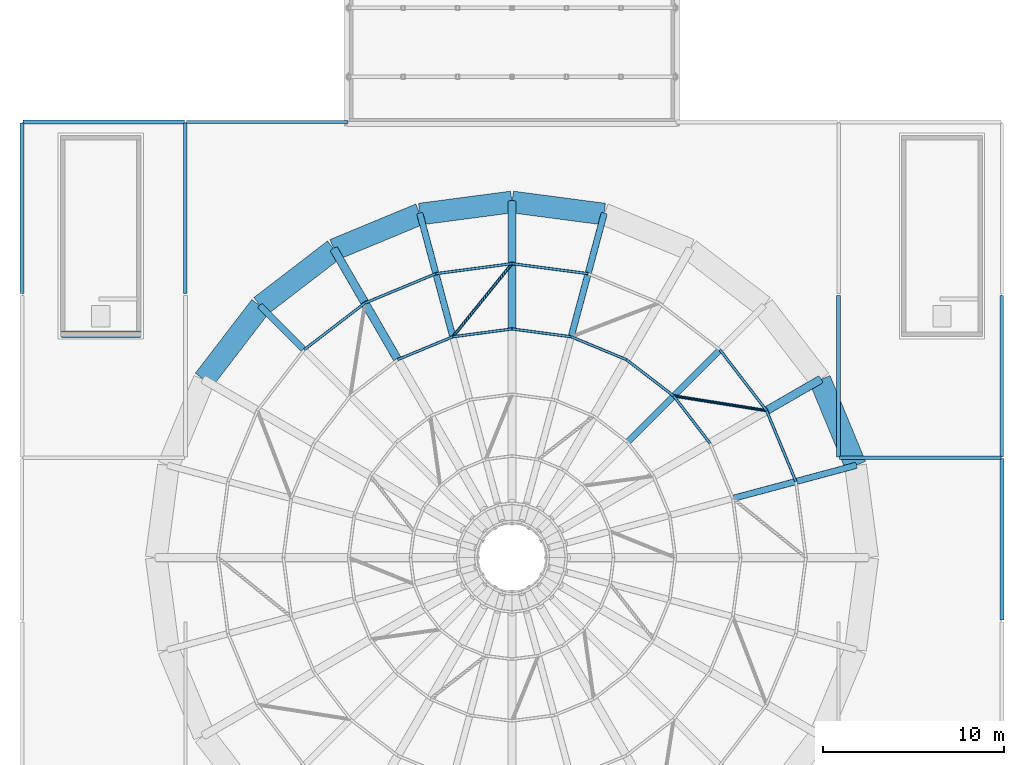
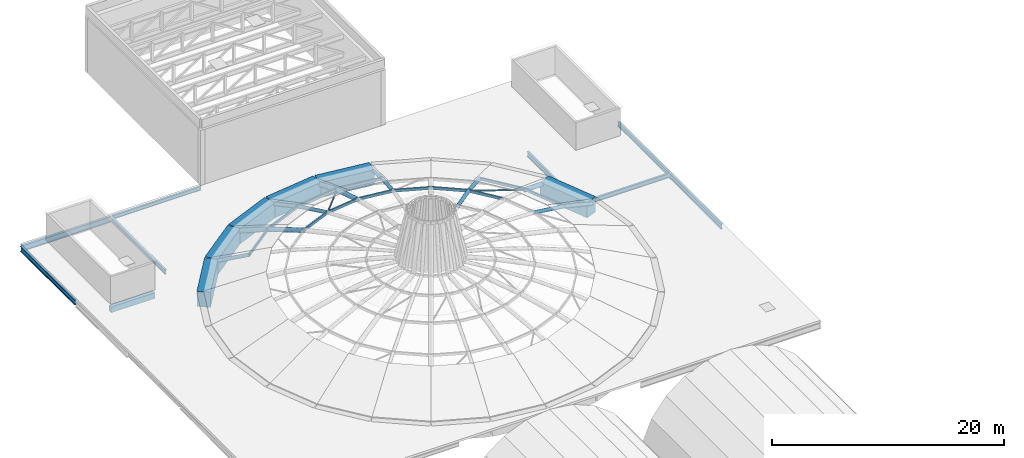
# One storey, part 12 of 25: 28 members, 15 beams.
"""IFC4 building model written with IfcOpenShell, lengths in metres."""

from ifc_helpers import new_model, si_unit, direction, frame, origin, origin_2d, place, context, subcontext, project, spatial, rectangle, hollow_rectangle, hollow_circle, i_section, extrude, material, material_profile, profile_set, type_object, element, save


model = new_model("IFC4")

# Units and contexts
model_context = context("Model", 3, precision=1e-05, world=origin(), true_north=direction((0.0, 1.0)))
body_context = subcontext(model_context, "Body", "Model", "MODEL_VIEW")
ifc_project = project(units=[si_unit("LENGTHUNIT", "METRE"), si_unit("AREAUNIT", "SQUARE_METRE"), si_unit("VOLUMEUNIT", "CUBIC_METRE"), si_unit("PLANEANGLEUNIT", "RADIAN"), si_unit("MASSUNIT", "GRAM", prefix="KILO")], contexts=[model_context])

# Site, building, storey
site_placement = place(None, origin())
site = spatial("IfcSite", under=ifc_project, at=site_placement, CompositionType="ELEMENT")
building_placement = place(site_placement, origin())
building = spatial("IfcBuilding", under=site, at=building_placement, Name="Marnock Terrace Opera House", CompositionType="ELEMENT")
storey_placement = place(building_placement, frame((0.0, 0.0, 28.199951171875)))
storey = spatial("IfcBuildingStorey", under=building, at=storey_placement, Name="RF", CompositionType="ELEMENT", Elevation=28.199951171875)

# Beams
ifc_material_1 = material(Name="Steel Grade 350 (AS/NZS 3679.1)", Category="steel")
ifc_material_profile_1 = material_profile(ifc_material_1, i_section(OverallWidth=0.177978515625, OverallDepth=0.402587890625, WebThickness=0.007568359375, FlangeThickness=0.010986328125, FilletRadius=0.011474609375, at=origin_2d()))
ifc_profile_set_1 = profile_set([ifc_material_profile_1], Name="Steel Grade 350 (AS/NZS 3679.1)")
beam_type_1 = type_object("IfcBeamType", Name="BM-GIRD-410", PredefinedType="BEAM", material=ifc_profile_set_1)
beam_1_placement = place(storey_placement, frame((64.050048828125, 84.5, -0.421142578125), z_axis=(1.0, 0.0, 0.0), x_axis=(0.0, 1.0, 0.0)))
element("IfcBeam", 1, at=beam_1_placement, inside=storey, type_object=beam_type_1, Name="RF girder (64.0..73.0, Y=84.5)", PredefinedType="BEAM", context=body_context, shape_type="SweptSolid", body=[
    extrude(i_section(OverallWidth=0.177978515625, OverallDepth=0.402587890625, WebThickness=0.007568359375, FlangeThickness=0.010986328125, FilletRadius=0.011474609375, at=origin_2d()), origin(), (0.0, 0.0, 1.0), 8.89990234375),
])
ifc_material_profile_2 = material_profile(ifc_material_1, i_section(OverallWidth=0.19091796875, OverallDepth=0.46044921875, WebThickness=0.010009765625, FlangeThickness=0.01611328125, FilletRadius=0.011474609375, at=origin_2d()))
ifc_profile_set_2 = profile_set([ifc_material_profile_2], Name="Steel Grade 350 (AS/NZS 3679.1)")
beam_type_2 = type_object("IfcBeamType", Name="BM-GIRD-460A", PredefinedType="BEAM", material=ifc_profile_set_2)
beam_2_placement = place(storey_placement, frame((100.050048828125, 66.0, -0.4501953125), z_axis=(1.0, 0.0, 0.0), x_axis=(0.0, 1.0, 0.0)))
element("IfcBeam", 2, at=beam_2_placement, inside=storey, type_object=beam_type_2, Name="RF girder (100.0..109.0, Y=66.0)", PredefinedType="BEAM", context=body_context, shape_type="SweptSolid", body=[
    extrude(i_section(OverallWidth=0.19091796875, OverallDepth=0.46044921875, WebThickness=0.010009765625, FlangeThickness=0.01611328125, FilletRadius=0.011474609375, at=origin_2d()), origin(), (0.0, 0.0, 1.0), 8.89990234375),
])
ifc_material_profile_3 = material_profile(ifc_material_1, i_section(OverallWidth=0.18994140625, OverallDepth=0.45751953125, WebThickness=0.009033203125, FlangeThickness=0.014404296875, FilletRadius=0.011474609375, at=origin_2d()))
ifc_profile_set_3 = profile_set([ifc_material_profile_3], Name="Steel Grade 350 (AS/NZS 3679.1)")
beam_type_3 = type_object("IfcBeamType", Name="BM-GIRD-460B", PredefinedType="BEAM", material=ifc_profile_set_3)
beam_3_placement = place(storey_placement, frame((64.0, 75.050048828125, -0.44873046875), z_axis=(0.0, 1.0, 0.0), x_axis=(-1.0, 0.0, 0.0)))
element("IfcBeam", 3, at=beam_3_placement, inside=storey, type_object=beam_type_3, Name="RF girder (X=64.0, 75.0..84.5)", PredefinedType="BEAM", context=body_context, shape_type="SweptSolid", body=[
    extrude(i_section(OverallWidth=0.18994140625, OverallDepth=0.45751953125, WebThickness=0.009033203125, FlangeThickness=0.014404296875, FilletRadius=0.011474609375, at=origin_2d()), origin(), (0.0, 0.0, 1.0), 9.39990234375),
])
beam_4_placement = place(storey_placement, frame((109.0, 66.050048828125, -0.44873046875), z_axis=(0.0, 1.0, 0.0), x_axis=(-1.0, 0.0, 0.0)))
element("IfcBeam", 4, at=beam_4_placement, inside=storey, type_object=beam_type_3, Name="RF girder (X=109.0, 66.0..75.0)", PredefinedType="BEAM", context=body_context, shape_type="SweptSolid", body=[
    extrude(i_section(OverallWidth=0.18994140625, OverallDepth=0.45751953125, WebThickness=0.009033203125, FlangeThickness=0.014404296875, FilletRadius=0.011474609375, at=origin_2d()), origin(), (0.0, 0.0, 1.0), 8.89990234375),
])
ifc_material_profile_4 = material_profile(ifc_material_1, i_section(OverallWidth=0.208984375, OverallDepth=0.528076171875, WebThickness=0.009521484375, FlangeThickness=0.01318359375, FilletRadius=0.013916015625, at=origin_2d()))
ifc_profile_set_4 = profile_set([ifc_material_profile_4], Name="Steel Grade 350 (AS/NZS 3679.1)")
beam_type_4 = type_object("IfcBeamType", Name="BM-GIRD-530B", PredefinedType="BEAM", material=ifc_profile_set_4)
beam_5_placement = place(storey_placement, frame((55.0, 75.050048828125, -0.48388671875), z_axis=(0.0, 1.0, 0.0), x_axis=(-1.0, 0.0, 0.0)))
element("IfcBeam", 5, at=beam_5_placement, inside=storey, type_object=beam_type_4, Name="RF girder (X=55.0, 75.0..84.5)", PredefinedType="BEAM", context=body_context, shape_type="SweptSolid", body=[
    extrude(i_section(OverallWidth=0.208984375, OverallDepth=0.528076171875, WebThickness=0.009521484375, FlangeThickness=0.01318359375, FilletRadius=0.013916015625, at=origin_2d()), origin(), (0.0, 0.0, 1.0), 9.39990234375),
])
for number, where, z_axis, x_axis, name in (
    (6, (100.0, 66.050048828125, -0.48388671875), (0.0, 1.0, 0.0), (-1.0, 0.0, 0.0), "RF girder (X=100.0, 66.0..75.0)"),
    (7, (109.0, 57.050048828125, -0.48388671875), (0.0, 1.0, 0.0), (-1.0, 0.0, 0.0), "RF girder (X=109.0, 57.0..66.0)"),
):
    element("IfcBeam", number, at=place(storey_placement, frame(where, z_axis=z_axis, x_axis=x_axis)), inside=storey, type_object=beam_type_4, Name=name, PredefinedType="BEAM", context=body_context, shape_type="SweptSolid", body=[
        extrude(i_section(OverallWidth=0.208984375, OverallDepth=0.528076171875, WebThickness=0.009521484375, FlangeThickness=0.01318359375, FilletRadius=0.013916015625, at=origin_2d()), origin(), (0.0, 0.0, 1.0), 8.89990234375),
    ])
ifc_material_profile_5 = material_profile(ifc_material_1, i_section(OverallWidth=0.22900390625, OverallDepth=0.611572265625, WebThickness=0.011962890625, FlangeThickness=0.01953125, FilletRadius=0.013916015625, at=origin_2d()))
ifc_profile_set_5 = profile_set([ifc_material_profile_5], Name="Steel Grade 350 (AS/NZS 3679.1)")
beam_type_5 = type_object("IfcBeamType", Name="BM-GIRD-610A", PredefinedType="BEAM", material=ifc_profile_set_5)
beam_6_placement = place(storey_placement, frame((55.050048828125, 84.5, -0.525634765625), z_axis=(1.0, 0.0, 0.0), x_axis=(0.0, 1.0, 0.0)))
element("IfcBeam", 8, at=beam_6_placement, inside=storey, type_object=beam_type_5, Name="RF girder (55.0..64.0, Y=84.5)", PredefinedType="BEAM", context=body_context, shape_type="SweptSolid", body=[
    extrude(i_section(OverallWidth=0.22900390625, OverallDepth=0.611572265625, WebThickness=0.011962890625, FlangeThickness=0.01953125, FilletRadius=0.013916015625, at=origin_2d()), origin(), (0.0, 0.0, 1.0), 8.89990234375),
])
ifc_material_2 = material(Name="Concrete N40 (f'c = 40 MPa)", Category="concrete")
ifc_material_profile_6 = material_profile(ifc_material_2, rectangle(XDim=0.35009765625, YDim=0.60009765625, at=origin_2d()))
ifc_profile_set_6 = profile_set([ifc_material_profile_6], Name="Concrete N40 (f'c = 40 MPa)")
beam_type_6 = type_object("IfcBeamType", Name="BM-LINT-RC350", PredefinedType="LINTEL", material=ifc_profile_set_6)
beam_7_placement = place(storey_placement, frame((57.159912109375, 72.800048828125, -0.570068359375), z_axis=(1.0, 0.0, 0.0), x_axis=(0.0, 1.0, 0.0)))
element("IfcBeam", 9, at=beam_7_placement, inside=storey, type_object=beam_type_6, Name="L05 Core C3 coupling lintel", PredefinedType="LINTEL", context=body_context, shape_type="SweptSolid", body=[
    extrude(rectangle(XDim=0.35009765625, YDim=0.60009765625, at=origin_2d()), origin(), (0.0, 0.0, 1.0), 4.360107421875),
])
ifc_material_3 = material(Name="Concrete N50 (f'c = 50 MPa)", Category="concrete")
ifc_material_profile_7 = material_profile(ifc_material_3, rectangle(XDim=1.199951171875, YDim=1.60009765625, at=origin_2d()))
ifc_profile_set_7 = profile_set([ifc_material_profile_7], Name="Concrete N50 (f'c = 50 MPa)")
beam_type_7 = type_object("IfcBeamType", Name="BM-RING-RC1200", PredefinedType="BEAM", material=ifc_profile_set_7)
beam_8_placement = place(storey_placement, frame((100.931884765625, 65.572998046875, -0.800048828125), z_axis=(-0.382642581018, 0.923896452635, 0.0), x_axis=(-0.923896452635, -0.382642581018, 0.0)))
element("IfcBeam", 10, at=beam_8_placement, inside=storey, type_object=beam_type_7, Name="Auditorium drum Concrete N50 ring beam segment 2", PredefinedType="BEAM", context=body_context, shape_type="SweptSolid", body=[
    extrude(rectangle(XDim=1.199951171875, YDim=1.60009765625, at=origin_2d()), origin(), (0.0, 0.0, 1.0), 5.116455078125),
])
for number, where, z_axis, x_axis, name in (
    (11, (87.072998046875, 79.431884765625, -0.800048828125), (-0.99143625958, 0.130591512704, 0.0), (-0.130591512704, -0.99143625958, 0.0), "Auditorium drum Concrete N50 ring beam segment 6"),
    (12, (82.0, 80.10009765625, -0.800048828125), (-0.99143625958, -0.130591512704, 0.0), (0.130591512704, -0.99143625958, 0.0), "Auditorium drum Concrete N50 ring beam segment 7"),
):
    element("IfcBeam", number, at=place(storey_placement, frame(where, z_axis=z_axis, x_axis=x_axis)), inside=storey, type_object=beam_type_7, Name=name, PredefinedType="BEAM", context=body_context, shape_type="SweptSolid", body=[
        extrude(rectangle(XDim=1.199951171875, YDim=1.60009765625, at=origin_2d()), origin(), (0.0, 0.0, 1.0), 5.11669921875),
    ])
for number, where, z_axis, x_axis, name in (
    (13, (76.927001953125, 79.431884765625, -0.800048828125), (-0.923896452635, -0.382642581018, 0.0), (0.382642581018, -0.923896452635, 0.0), "Auditorium drum Concrete N50 ring beam segment 8"),
    (14, (72.199951171875, 77.47412109375, -0.800048828125), (-0.793279847731, -0.608857194409, 0.0), (0.608857194409, -0.793279847731, 0.0), "Auditorium drum Concrete N50 ring beam segment 9"),
    (15, (68.14111328125, 74.35888671875, -0.800048828125), (-0.608857194409, -0.793279847731, 0.0), (0.793279847731, -0.608857194409, 0.0), "Auditorium drum Concrete N50 ring beam segment 10"),
):
    element("IfcBeam", number, at=place(storey_placement, frame(where, z_axis=z_axis, x_axis=x_axis)), inside=storey, type_object=beam_type_7, Name=name, PredefinedType="BEAM", context=body_context, shape_type="SweptSolid", body=[
        extrude(rectangle(XDim=1.199951171875, YDim=1.60009765625, at=origin_2d()), origin(), (0.0, 0.0, 1.0), 5.116455078125),
    ])

# Members
ifc_material_4 = material(Name="Cold-formed Steel Grade C350L0 (AS/NZS 1163)", Category="steel")
ifc_material_profile_8 = material_profile(ifc_material_4, hollow_circle(Radius=0.084228515625, WallThickness=0.007080078125, at=origin_2d()))
ifc_profile_set_8 = profile_set([ifc_material_profile_8], Name="Cold-formed Steel Grade C350L0 (AS/NZS 1163)")
member_type_1 = type_object("IfcMemberType", Name="MEM-BRACE-CHS2", PredefinedType="BRACE", material=ifc_profile_set_8)
for number, where, z_axis, x_axis, name in (
    (16, (96.029541015625, 68.60009765625, 0.932861328125), (-0.962459526729, 0.15213395628, 0.224781936006), (-0.156129450469, -0.987736601881, 0.0), "Auditorium dome diagonal shell brace 1.3"),
    (17, (82.0, 76.699951171875, 0.932861328125), (-0.613030606915, -0.757408080291, 0.224780948695), (0.777299707491, -0.629130483075, 0.0), "Auditorium dome diagonal shell brace 1.7"),
):
    element("IfcMember", number, at=place(storey_placement, frame(where, z_axis=z_axis, x_axis=x_axis)), inside=storey, type_object=member_type_1, Name=name, PredefinedType="BRACE", context=body_context, shape_type="SweptSolid", body=[
        extrude(hollow_circle(Radius=0.084228515625, WallThickness=0.007080078125, at=origin_2d()), origin(), (0.0, 0.0, 1.0), 5.31982421875),
    ])
ifc_material_profile_9 = material_profile(ifc_material_4, hollow_circle(Radius=0.228515625, WallThickness=0.0126953125, at=origin_2d()))
ifc_profile_set_9 = profile_set([ifc_material_profile_9], Name="Cold-formed Steel Grade C350L0 (AS/NZS 1163)")
member_type_2 = type_object("IfcMemberType", Name="MEM-DOME-RIB1", PredefinedType="RAFTER", material=ifc_profile_set_9)
for number, where, z_axis, x_axis, name in (
    (18, (98.97412109375, 70.300048828125, -0.447509765625), (-0.802429941568, -0.463255093536, 0.376166063313), (0.499977295307, -0.866038511948, 0.0), "Auditorium dome meridian steel rib 3.1"),
    (19, (82.0, 80.10009765625, -0.447509765625), (0.0, -0.926555721782, 0.376157539381), (1.0, 0.0, 0.0), "Auditorium dome meridian steel rib 7.1"),
):
    element("IfcMember", number, at=place(storey_placement, frame(where, z_axis=z_axis, x_axis=x_axis)), inside=storey, type_object=member_type_2, Name=name, PredefinedType="RAFTER", context=body_context, shape_type="SweptSolid", body=[
        extrude(hollow_circle(Radius=0.228515625, WallThickness=0.0126953125, at=origin_2d()), origin(), (0.0, 0.0, 1.0), 3.669677734375),
    ])
member_1_placement = place(storey_placement, frame((82.0, 76.699951171875, 0.932861328125), z_axis=(0.0, -0.95308608931, 0.30269936631), x_axis=(1.0, 0.0, 0.0)))
element("IfcMember", 20, at=member_1_placement, inside=storey, type_object=member_type_2, Name="Auditorium dome meridian steel rib 7.2", PredefinedType="RAFTER", context=body_context, shape_type="SweptSolid", body=[
    extrude(hollow_circle(Radius=0.228515625, WallThickness=0.0126953125, at=origin_2d()), origin(), (0.0, 0.0, 1.0), 3.777099609375),
])
member_2_placement = place(storey_placement, frame((72.199951171875, 77.47412109375, -0.447509765625), z_axis=(0.463255093536, -0.802429941568, 0.376166063313), x_axis=(0.866038511948, 0.499977295307, 0.0)))
element("IfcMember", 21, at=member_2_placement, inside=storey, type_object=member_type_2, Name="Auditorium dome meridian steel rib 9.1", PredefinedType="RAFTER", context=body_context, shape_type="SweptSolid", body=[
    extrude(hollow_circle(Radius=0.228515625, WallThickness=0.0126953125, at=origin_2d()), origin(), (0.0, 0.0, 1.0), 3.669677734375),
])
member_3_placement = place(storey_placement, frame((73.89990234375, 74.529541015625, 0.932861328125), z_axis=(0.476556444732, -0.825393435403, 0.302687349882), x_axis=(0.866018442252, 0.500012057535, 0.0)))
element("IfcMember", 22, at=member_3_placement, inside=storey, type_object=member_type_2, Name="Auditorium dome meridian steel rib 9.2", PredefinedType="RAFTER", context=body_context, shape_type="SweptSolid", body=[
    extrude(hollow_circle(Radius=0.228515625, WallThickness=0.0126953125, at=origin_2d()), origin(), (0.0, 0.0, 1.0), 3.777099609375),
])
ifc_material_profile_10 = material_profile(ifc_material_4, hollow_circle(Radius=0.177734375, WallThickness=0.0126953125, at=origin_2d()))
ifc_profile_set_10 = profile_set([ifc_material_profile_10], Name="Cold-formed Steel Grade C350L0 (AS/NZS 1163)")
member_type_3 = type_object("IfcMemberType", Name="MEM-DOME-RIB2", PredefinedType="RAFTER", material=ifc_profile_set_10)
member_4_placement = place(storey_placement, frame((100.93212890625, 65.57275390625, -0.39208984375), z_axis=(-0.895120689773, -0.239816753341, 0.375828252739), x_axis=(0.258788726886, -0.965933949521, 0.0)))
element("IfcMember", 23, at=member_4_placement, inside=storey, type_object=member_type_3, Name="Auditorium dome meridian steel rib 2.1", PredefinedType="RAFTER", context=body_context, shape_type="SweptSolid", body=[
    extrude(hollow_circle(Radius=0.177734375, WallThickness=0.0126953125, at=origin_2d()), origin(), (0.0, 0.0, 1.0), 3.6689453125),
])
member_5_placement = place(storey_placement, frame((97.64794921875, 64.69287109375, 0.98681640625), z_axis=(-0.920726875338, -0.246682142546, 0.302340770621), x_axis=(0.258793712962, -0.96593261366, 0.0)))
element("IfcMember", 24, at=member_5_placement, inside=storey, type_object=member_type_3, Name="Auditorium dome meridian steel rib 2.2", PredefinedType="RAFTER", context=body_context, shape_type="SweptSolid", body=[
    extrude(hollow_circle(Radius=0.177734375, WallThickness=0.0126953125, at=origin_2d()), origin(), (0.0, 0.0, 1.0), 3.776611328125),
])
member_6_placement = place(storey_placement, frame((93.455078125, 71.955078125, 0.98681640625), z_axis=(-0.674016914939, -0.674016914939, 0.302328293006), x_axis=(0.707106781187, -0.707106781187, 0.0)))
element("IfcMember", 25, at=member_6_placement, inside=storey, type_object=member_type_3, Name="Auditorium dome meridian steel rib 4.2", PredefinedType="RAFTER", context=body_context, shape_type="SweptSolid", body=[
    extrude(hollow_circle(Radius=0.177734375, WallThickness=0.0126953125, at=origin_2d()), origin(), (0.0, 0.0, 1.0), 3.77685546875),
])
member_7_placement = place(storey_placement, frame((90.909423828125, 69.409423828125, 2.128662109375), z_axis=(-0.688686175837, -0.688686175837, 0.226765743492), x_axis=(0.707106781187, -0.707106781187, 0.0)))
element("IfcMember", 26, at=member_7_placement, inside=storey, type_object=member_type_3, Name="Auditorium dome meridian steel rib 4.3", PredefinedType="RAFTER", context=body_context, shape_type="SweptSolid", body=[
    extrude(hollow_circle(Radius=0.177734375, WallThickness=0.0126953125, at=origin_2d()), origin(), (0.0, 0.0, 1.0), 3.696044921875),
])
member_8_placement = place(storey_placement, frame((87.07275390625, 79.43212890625, -0.39208984375), z_axis=(-0.239816753341, -0.895120689773, 0.375828252739), x_axis=(0.965933949521, -0.258788726886, 0.0)))
element("IfcMember", 27, at=member_8_placement, inside=storey, type_object=member_type_3, Name="Auditorium dome meridian steel rib 6.1", PredefinedType="RAFTER", context=body_context, shape_type="SweptSolid", body=[
    extrude(hollow_circle(Radius=0.177734375, WallThickness=0.0126953125, at=origin_2d()), origin(), (0.0, 0.0, 1.0), 3.6689453125),
])
member_9_placement = place(storey_placement, frame((86.19287109375, 76.14794921875, 0.98681640625), z_axis=(-0.246682142546, -0.920726875338, 0.302340770621), x_axis=(0.96593261366, -0.258793712962, 0.0)))
element("IfcMember", 28, at=member_9_placement, inside=storey, type_object=member_type_3, Name="Auditorium dome meridian steel rib 6.2", PredefinedType="RAFTER", context=body_context, shape_type="SweptSolid", body=[
    extrude(hollow_circle(Radius=0.177734375, WallThickness=0.0126953125, at=origin_2d()), origin(), (0.0, 0.0, 1.0), 3.776611328125),
])
member_10_placement = place(storey_placement, frame((76.92724609375, 79.43212890625, -0.39208984375), z_axis=(0.239816753341, -0.895120689773, 0.375828252739), x_axis=(0.965933949521, 0.258788726886, 0.0)))
element("IfcMember", 29, at=member_10_placement, inside=storey, type_object=member_type_3, Name="Auditorium dome meridian steel rib 8.1", PredefinedType="RAFTER", context=body_context, shape_type="SweptSolid", body=[
    extrude(hollow_circle(Radius=0.177734375, WallThickness=0.0126953125, at=origin_2d()), origin(), (0.0, 0.0, 1.0), 3.6689453125),
])
member_11_placement = place(storey_placement, frame((77.80712890625, 76.14794921875, 0.98681640625), z_axis=(0.246682142546, -0.920726875338, 0.302340770621), x_axis=(0.96593261366, 0.258793712962, 0.0)))
element("IfcMember", 30, at=member_11_placement, inside=storey, type_object=member_type_3, Name="Auditorium dome meridian steel rib 8.2", PredefinedType="RAFTER", context=body_context, shape_type="SweptSolid", body=[
    extrude(hollow_circle(Radius=0.177734375, WallThickness=0.0126953125, at=origin_2d()), origin(), (0.0, 0.0, 1.0), 3.776611328125),
])
member_12_placement = place(storey_placement, frame((68.140625, 74.359375, -0.39208984375), z_axis=(0.655273344477, -0.655273344477, 0.375810707718), x_axis=(0.707106781187, 0.707106781187, 0.0)))
element("IfcMember", 31, at=member_12_placement, inside=storey, type_object=member_type_3, Name="Auditorium dome meridian steel rib 10.1", PredefinedType="RAFTER", context=body_context, shape_type="SweptSolid", body=[
    extrude(hollow_circle(Radius=0.177734375, WallThickness=0.0126953125, at=origin_2d()), origin(), (0.0, 0.0, 1.0), 3.669189453125),
])
ifc_material_profile_11 = material_profile(ifc_material_4, hollow_rectangle(XDim=0.14990234375, YDim=0.300048828125, WallThickness=0.010009765625, InnerFilletRadius=0.010009765625, OuterFilletRadius=0.02001953125, at=origin_2d()))
ifc_profile_set_11 = profile_set([ifc_material_profile_11], Name="Cold-formed Steel Grade C350L0 (AS/NZS 1163)")
member_type_4 = type_object("IfcMemberType", Name="MEM-DOME-RING1", PredefinedType="PURLIN", material=ifc_profile_set_11)
member_13_placement = place(storey_placement, frame((97.64794921875, 64.69287109375, 1.000732421875), z_axis=(-0.382679793365, 0.923881039826, 0.0), x_axis=(-0.923881039826, -0.382679793365, 0.0)))
element("IfcMember", 32, at=member_13_placement, inside=storey, type_object=member_type_4, Name="Auditorium dome latitude purlin ring 1.2", PredefinedType="PURLIN", context=body_context, shape_type="SweptSolid", body=[
    extrude(hollow_rectangle(XDim=0.14990234375, YDim=0.300048828125, WallThickness=0.010009765625, InnerFilletRadius=0.010009765625, OuterFilletRadius=0.02001953125, at=origin_2d()), origin(), (0.0, 0.0, 1.0), 4.229248046875),
])
member_14_placement = place(storey_placement, frame((96.029541015625, 68.60009765625, 1.000732421875), z_axis=(-0.608775692151, 0.793342395594, 0.0), x_axis=(-0.793342395594, -0.608775692151, 0.0)))
element("IfcMember", 33, at=member_14_placement, inside=storey, type_object=member_type_4, Name="Auditorium dome latitude purlin ring 1.3", PredefinedType="PURLIN", context=body_context, shape_type="SweptSolid", body=[
    extrude(hollow_rectangle(XDim=0.14990234375, YDim=0.300048828125, WallThickness=0.010009765625, InnerFilletRadius=0.010009765625, OuterFilletRadius=0.02001953125, at=origin_2d()), origin(), (0.0, 0.0, 1.0), 4.22900390625),
])
for number, where, z_axis, x_axis, name in (
    (34, (92.911865234375, 66.800048828125, 2.14453125), (-0.608799230599, 0.79332433268, 0.0), (-0.79332433268, -0.608799230599, 0.0), "Auditorium dome latitude purlin ring 2.3"),
    (35, (90.909423828125, 69.409423828125, 2.14453125), (-0.79332433268, 0.608799230599, 0.0), (-0.608799230599, -0.79332433268, 0.0), "Auditorium dome latitude purlin ring 2.4"),
):
    element("IfcMember", number, at=place(storey_placement, frame(where, z_axis=z_axis, x_axis=x_axis)), inside=storey, type_object=member_type_4, Name=name, PredefinedType="PURLIN", context=body_context, shape_type="SweptSolid", body=[
        extrude(hollow_rectangle(XDim=0.14990234375, YDim=0.300048828125, WallThickness=0.010009765625, InnerFilletRadius=0.010009765625, OuterFilletRadius=0.02001953125, at=origin_2d()), origin(), (0.0, 0.0, 1.0), 3.2890625),
    ])
member_15_placement = place(storey_placement, frame((88.300048828125, 71.411865234375, 2.14453125), z_axis=(-0.923872085052, 0.382701411628, 0.0), x_axis=(-0.382701411628, -0.923872085052, 0.0)))
element("IfcMember", 36, at=member_15_placement, inside=storey, type_object=member_type_4, Name="Auditorium dome latitude purlin ring 2.5", PredefinedType="PURLIN", context=body_context, shape_type="SweptSolid", body=[
    extrude(hollow_rectangle(XDim=0.14990234375, YDim=0.300048828125, WallThickness=0.010009765625, InnerFilletRadius=0.010009765625, OuterFilletRadius=0.02001953125, at=origin_2d()), origin(), (0.0, 0.0, 1.0), 3.289306640625),
])
member_16_placement = place(storey_placement, frame((86.19287109375, 76.14794921875, 1.000732421875), z_axis=(-0.991444861326, 0.130526192585, 0.0), x_axis=(-0.130526192585, -0.991444861326, 0.0)))
element("IfcMember", 37, at=member_16_placement, inside=storey, type_object=member_type_4, Name="Auditorium dome latitude purlin ring 1.6", PredefinedType="PURLIN", context=body_context, shape_type="SweptSolid", body=[
    extrude(hollow_rectangle(XDim=0.14990234375, YDim=0.300048828125, WallThickness=0.010009765625, InnerFilletRadius=0.010009765625, OuterFilletRadius=0.02001953125, at=origin_2d()), origin(), (0.0, 0.0, 1.0), 4.22900390625),
])
member_17_placement = place(storey_placement, frame((85.26123046875, 72.670654296875, 2.14453125), z_axis=(-0.991441154095, 0.130554348709, 0.0), x_axis=(-0.130554348709, -0.991441154095, 0.0)))
element("IfcMember", 38, at=member_17_placement, inside=storey, type_object=member_type_4, Name="Auditorium dome latitude purlin ring 2.6", PredefinedType="PURLIN", context=body_context, shape_type="SweptSolid", body=[
    extrude(hollow_rectangle(XDim=0.14990234375, YDim=0.300048828125, WallThickness=0.010009765625, InnerFilletRadius=0.010009765625, OuterFilletRadius=0.02001953125, at=origin_2d()), origin(), (0.0, 0.0, 1.0), 3.289306640625),
])
member_18_placement = place(storey_placement, frame((82.0, 76.699951171875, 1.000732421875), z_axis=(-0.991444861326, -0.130526192585, 0.0), x_axis=(0.130526192585, -0.991444861326, 0.0)))
element("IfcMember", 39, at=member_18_placement, inside=storey, type_object=member_type_4, Name="Auditorium dome latitude purlin ring 1.7", PredefinedType="PURLIN", context=body_context, shape_type="SweptSolid", body=[
    extrude(hollow_rectangle(XDim=0.14990234375, YDim=0.300048828125, WallThickness=0.010009765625, InnerFilletRadius=0.010009765625, OuterFilletRadius=0.02001953125, at=origin_2d()), origin(), (0.0, 0.0, 1.0), 4.22900390625),
])
member_19_placement = place(storey_placement, frame((82.0, 73.10009765625, 2.14453125), z_axis=(-0.991441154095, -0.130554348709, 0.0), x_axis=(0.130554348709, -0.991441154095, 0.0)))
element("IfcMember", 40, at=member_19_placement, inside=storey, type_object=member_type_4, Name="Auditorium dome latitude purlin ring 2.7", PredefinedType="PURLIN", context=body_context, shape_type="SweptSolid", body=[
    extrude(hollow_rectangle(XDim=0.14990234375, YDim=0.300048828125, WallThickness=0.010009765625, InnerFilletRadius=0.010009765625, OuterFilletRadius=0.02001953125, at=origin_2d()), origin(), (0.0, 0.0, 1.0), 3.289306640625),
])
member_20_placement = place(storey_placement, frame((77.80712890625, 76.14794921875, 1.000732421875), z_axis=(-0.923881039826, -0.382679793365, 0.0), x_axis=(0.382679793365, -0.923881039826, 0.0)))
element("IfcMember", 41, at=member_20_placement, inside=storey, type_object=member_type_4, Name="Auditorium dome latitude purlin ring 1.8", PredefinedType="PURLIN", context=body_context, shape_type="SweptSolid", body=[
    extrude(hollow_rectangle(XDim=0.14990234375, YDim=0.300048828125, WallThickness=0.010009765625, InnerFilletRadius=0.010009765625, OuterFilletRadius=0.02001953125, at=origin_2d()), origin(), (0.0, 0.0, 1.0), 4.229248046875),
])
member_21_placement = place(storey_placement, frame((78.73876953125, 72.670654296875, 2.14453125), z_axis=(-0.923872085052, -0.382701411628, 0.0), x_axis=(0.382701411628, -0.923872085052, 0.0)))
element("IfcMember", 42, at=member_21_placement, inside=storey, type_object=member_type_4, Name="Auditorium dome latitude purlin ring 2.8", PredefinedType="PURLIN", context=body_context, shape_type="SweptSolid", body=[
    extrude(hollow_rectangle(XDim=0.14990234375, YDim=0.300048828125, WallThickness=0.010009765625, InnerFilletRadius=0.010009765625, OuterFilletRadius=0.02001953125, at=origin_2d()), origin(), (0.0, 0.0, 1.0), 3.289306640625),
])
member_22_placement = place(storey_placement, frame((73.89990234375, 74.529541015625, 1.000732421875), z_axis=(-0.793342395594, -0.608775692151, 0.0), x_axis=(0.608775692151, -0.793342395594, 0.0)))
element("IfcMember", 43, at=member_22_placement, inside=storey, type_object=member_type_4, Name="Auditorium dome latitude purlin ring 1.9", PredefinedType="PURLIN", context=body_context, shape_type="SweptSolid", body=[
    extrude(hollow_rectangle(XDim=0.14990234375, YDim=0.300048828125, WallThickness=0.010009765625, InnerFilletRadius=0.010009765625, OuterFilletRadius=0.02001953125, at=origin_2d()), origin(), (0.0, 0.0, 1.0), 4.22900390625),
])

save(model, "model.ifc")
